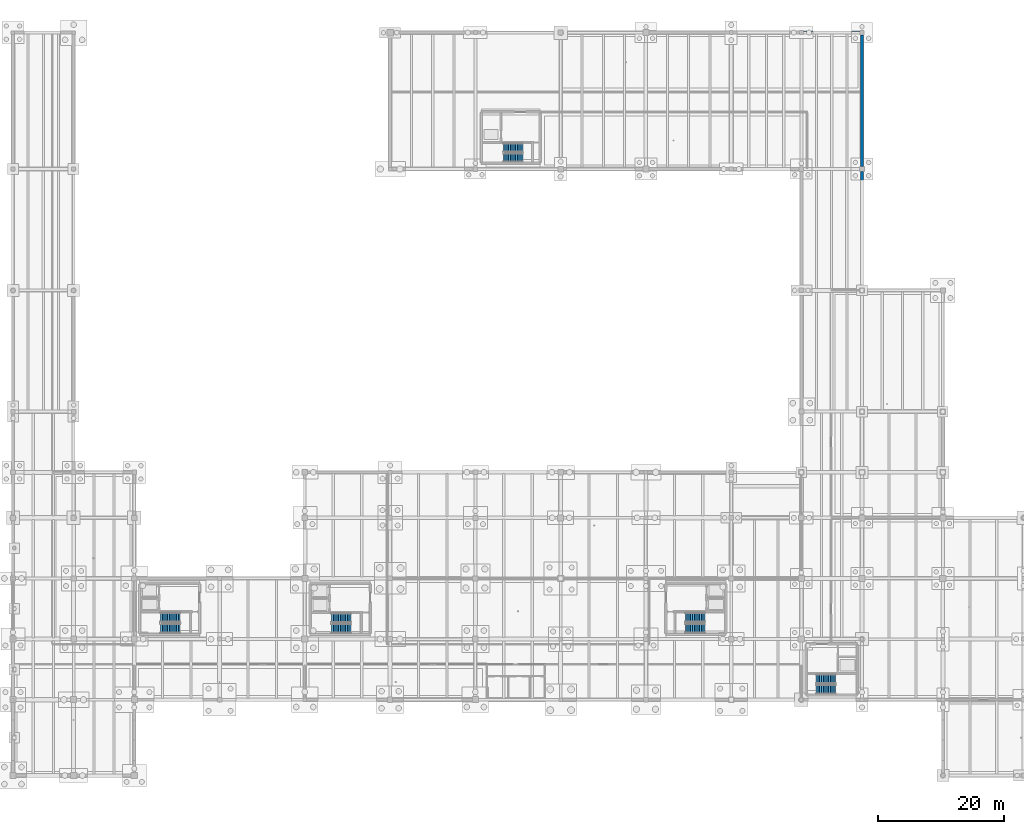
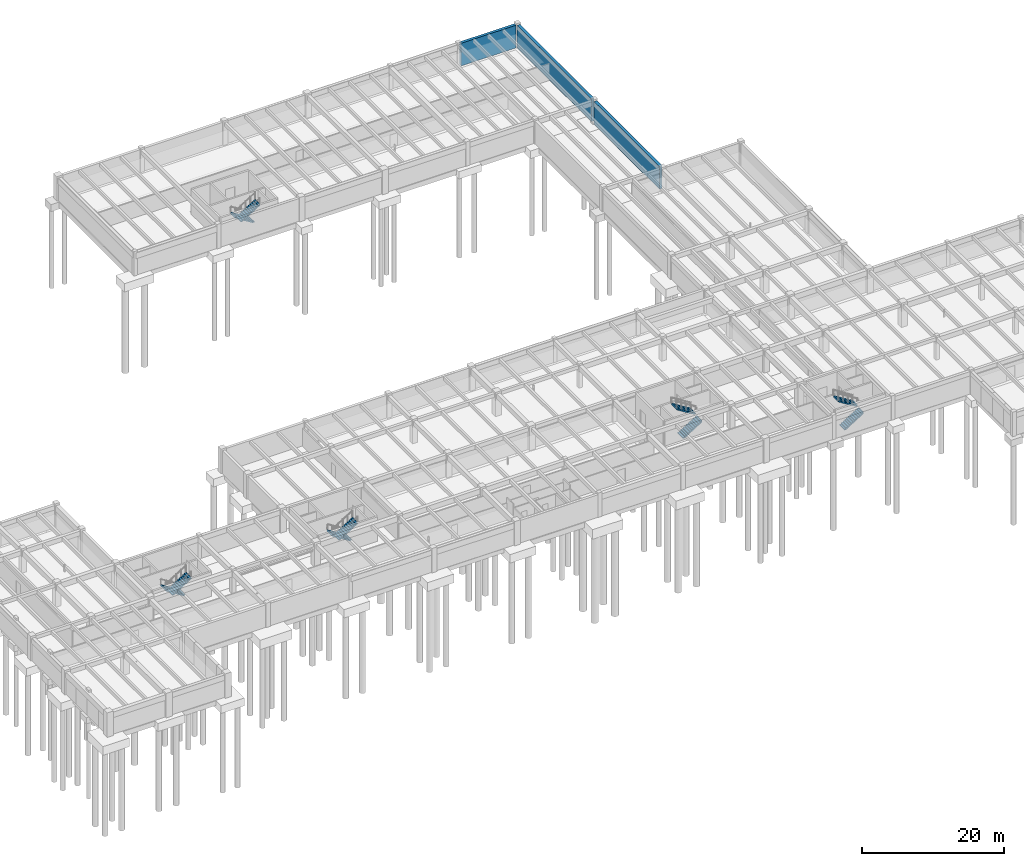
# One storey, part 22 of 41: 10 stair flights, 3 walls, 5 elements without a shape of their own.
"""IFC4 building model written with IfcOpenShell, lengths in metres."""

from ifc_helpers import new_model, si_unit, direction, frame, frame_2d, origin, place, context, subcontext, project, spatial, polyline, rectangle, outline, extrude, material, layer, layer_set, type_object, element, aggregate, save


model = new_model("IFC4")

# Units and contexts
model_context = context("Model", 3, precision=1e-05, world=origin(), true_north=direction((0.0, 1.0)))
body_context = subcontext(model_context, "Body", "Model", "MODEL_VIEW")
ifc_project = project(units=[si_unit("LENGTHUNIT", "METRE"), si_unit("AREAUNIT", "SQUARE_METRE"), si_unit("VOLUMEUNIT", "CUBIC_METRE"), si_unit("PLANEANGLEUNIT", "RADIAN"), si_unit("MASSUNIT", "GRAM", prefix="KILO")], contexts=[model_context])

# Site, building, storey
site_placement = place(None, origin())
site = spatial("IfcSite", under=ifc_project, at=site_placement, CompositionType="ELEMENT")
building_placement = place(site_placement, origin())
building = spatial("IfcBuilding", under=site, at=building_placement, Name="Fikremerkos Civic Library", CompositionType="ELEMENT")
storey_placement = place(building_placement, frame((0.0, 0.0, -8.39990234375)))
storey = spatial("IfcBuildingStorey", under=building, at=storey_placement, Name="B02", CompositionType="ELEMENT", Elevation=-8.39990234375)

# Walls
ifc_material = material(Name="Concrete C40/50", Category="concrete")
ifc_layer = layer(ifc_material, 0.449951171875, Name="Concrete C40/50")
ifc_layer_set = layer_set([ifc_layer], Name="Concrete C40/50")
wall_type = type_object("IfcWallType", Name="Basement retaining wall BRW-01 450", PredefinedType="USERDEFINED", material=ifc_layer_set)
wall_1_placement = place(storey_placement, frame((125.123046875, 117.60009765625, 0.0), z_axis=(0.0, 0.0, 1.0), x_axis=(1.0, 0.0, 0.0)))
element("IfcWall", 1, at=wall_1_placement, inside=storey, type_object=wall_type, Name="Basement retaining wall BRW-01 B02 #59", ObjectType="RETAINING WALL", PredefinedType="USERDEFINED", context=body_context, shape_type="SweptSolid", body=[
    extrude(rectangle(XDim=8.928955078125, YDim=0.449951171875, at=frame_2d((4.46435546875, 0.0))), origin(), (0.0, 0.0, 1.0), 3.89990234375),
])
wall_2_placement = place(storey_placement, frame((134.39990234375, 117.251953125, 0.0), z_axis=(0.0, 0.0, 1.0), x_axis=(0.0, -1.0, 0.0)))
element("IfcWall", 2, at=wall_2_placement, inside=storey, type_object=wall_type, Name="Basement retaining wall BRW-01 B02 #60", ObjectType="RETAINING WALL", PredefinedType="USERDEFINED", context=body_context, shape_type="SweptSolid", body=[
    extrude(rectangle(XDim=20.87890625, YDim=0.449951171875, at=frame_2d((10.439453125, 0.0))), origin(), (0.0, 0.0, 1.0), 3.89990234375),
])
wall_3_placement = place(storey_placement, frame((134.39990234375, 95.626953125, 0.0), z_axis=(0.0, 0.0, 1.0), x_axis=(0.0, -1.0, 0.0)))
element("IfcWall", 3, at=wall_3_placement, inside=storey, type_object=wall_type, Name="Basement retaining wall BRW-01 B02 #61", ObjectType="RETAINING WALL", PredefinedType="USERDEFINED", context=body_context, shape_type="SweptSolid", body=[
    extrude(rectangle(XDim=18.428955078125, YDim=0.449951171875, at=frame_2d((9.21435546875, 0.0))), origin(), (0.0, 0.0, 1.0), 3.919921875),
])

# Stair, stair flights
stair_type_1 = type_object("IfcStairType", Name="Half turn stair ST-HT-01 W1550 H4200", PredefinedType="HALF_TURN_STAIR", material=ifc_material)
stair_1_placement = place(storey_placement, origin())
stair_1 = element("IfcStair", 4, at=stair_1_placement, inside=storey, type_object=stair_type_1, Name="B02 ST-K1", PredefinedType="HALF_TURN_STAIR")
stair_flight_type_1 = type_object("IfcStairFlightType", Name="Straight stair flight SFL-01 W1550 H2100", PredefinedType="STRAIGHT", material=ifc_material)
stair_flight_1_placement = place(storey_placement, frame((26.449951171875, 25.02490234375, 0.0), z_axis=(0.0, 0.0, 1.0), x_axis=(-1.0, 0.0, 0.0)))
stair_flight_1 = element("IfcStairFlight", 5, at=stair_flight_1_placement, type_object=stair_flight_type_1, Name="ST-K1 flight 1", NumberOfRisers=12, NumberOfTreads=11, PredefinedType="STRAIGHT", RiserHeight=0.175, TreadLength=0.28, context=body_context, shape_type="SweptSolid", body=[
    extrude(outline(polyline([(-0.0048828125, 0.0), (-0.0048828125, 0.175048828125), (0.280029296875, 0.175048828125), (0.280029296875, 0.35009765625), (0.56005859375, 0.35009765625), (0.56005859375, 0.52490234375), (0.840087890625, 0.52490234375), (0.840087890625, 0.699951171875), (1.1201171875, 0.699951171875), (1.1201171875, 0.875), (1.39990234375, 0.875), (1.39990234375, 1.050048828125), (1.679931640625, 1.050048828125), (1.679931640625, 1.22509765625), (1.9599609375, 1.22509765625), (1.9599609375, 1.39990234375), (2.239990234375, 1.39990234375), (2.239990234375, 1.574951171875), (2.52001953125, 1.574951171875), (2.52001953125, 1.75), (2.800048828125, 1.75), (2.800048828125, 1.925048828125), (3.080078125, 1.925048828125), (3.080078125, 2.10009765625), (3.0849609375, 2.10009765625), (3.0849609375, 1.748291015625), (0.28271484375, 0.0), (-0.0048828125, 0.0)])), frame((0.0, 0.77490234375, 0.0), z_axis=(0.0, -1.0, 0.0), x_axis=(1.0, 0.0, 0.0)), (0.0, 0.0, 1.0), 1.550048828125),
])
stair_flight_2_placement = place(storey_placement, frame((23.3701171875, 23.27490234375, 2.099853515625), z_axis=(0.0, 0.0, 1.0), x_axis=(1.0, 0.0, 0.0)))
stair_flight_2 = element("IfcStairFlight", 6, at=stair_flight_2_placement, type_object=stair_flight_type_1, Name="ST-K1 flight 2", NumberOfRisers=12, NumberOfTreads=11, PredefinedType="STRAIGHT", RiserHeight=0.175, TreadLength=0.28, context=body_context, shape_type="SweptSolid", body=[
    extrude(outline(polyline([(-0.0048828125, 0.0), (-0.0048828125, 0.175048828125), (0.280029296875, 0.175048828125), (0.280029296875, 0.35009765625), (0.56005859375, 0.35009765625), (0.56005859375, 0.52490234375), (0.840087890625, 0.52490234375), (0.840087890625, 0.699951171875), (1.1201171875, 0.699951171875), (1.1201171875, 0.875), (1.39990234375, 0.875), (1.39990234375, 1.050048828125), (1.679931640625, 1.050048828125), (1.679931640625, 1.22509765625), (1.9599609375, 1.22509765625), (1.9599609375, 1.39990234375), (2.239990234375, 1.39990234375), (2.239990234375, 1.574951171875), (2.52001953125, 1.574951171875), (2.52001953125, 1.75), (2.800048828125, 1.75), (2.800048828125, 1.925048828125), (3.080078125, 1.925048828125), (3.080078125, 2.10009765625), (3.0849609375, 2.10009765625), (3.0849609375, 1.748291015625), (0.28271484375, 0.0), (-0.0048828125, 0.0)])), frame((0.0, 0.77490234375, 0.0), z_axis=(0.0, -1.0, 0.0), x_axis=(1.0, 0.0, 0.0)), (0.0, 0.0, 1.0), 1.550048828125),
])
aggregate(stair_1, [stair_flight_1, stair_flight_2])

stair_2_placement = place(storey_placement, origin())
stair_2 = element("IfcStair", 7, at=stair_2_placement, inside=storey, type_object=stair_type_1, Name="B02 ST-K2", PredefinedType="HALF_TURN_STAIR")
stair_flight_3_placement = place(storey_placement, frame((106.449951171875, 23.27490234375, 0.0), z_axis=(0.0, 0.0, 1.0), x_axis=(1.0, 0.0, 0.0)))
stair_flight_3 = element("IfcStairFlight", 8, at=stair_flight_3_placement, type_object=stair_flight_type_1, Name="ST-K2 flight 1", NumberOfRisers=12, NumberOfTreads=11, PredefinedType="STRAIGHT", RiserHeight=0.175, TreadLength=0.28, context=body_context, shape_type="SweptSolid", body=[
    extrude(outline(polyline([(-0.0048828125, 0.0), (-0.0048828125, 0.175048828125), (0.280029296875, 0.175048828125), (0.280029296875, 0.35009765625), (0.56005859375, 0.35009765625), (0.56005859375, 0.52490234375), (0.840087890625, 0.52490234375), (0.840087890625, 0.699951171875), (1.1201171875, 0.699951171875), (1.1201171875, 0.875), (1.39990234375, 0.875), (1.39990234375, 1.050048828125), (1.679931640625, 1.050048828125), (1.679931640625, 1.22509765625), (1.9599609375, 1.22509765625), (1.9599609375, 1.39990234375), (2.239990234375, 1.39990234375), (2.239990234375, 1.574951171875), (2.52001953125, 1.574951171875), (2.52001953125, 1.75), (2.800048828125, 1.75), (2.800048828125, 1.925048828125), (3.080078125, 1.925048828125), (3.080078125, 2.10009765625), (3.0849609375, 2.10009765625), (3.0849609375, 1.748291015625), (0.28271484375, 0.0), (-0.0048828125, 0.0)])), frame((0.0, 0.77490234375, 0.0), z_axis=(0.0, -1.0, 0.0), x_axis=(1.0, 0.0, 0.0)), (0.0, 0.0, 1.0), 1.550048828125),
])
stair_flight_4_placement = place(storey_placement, frame((109.530029296875, 25.02490234375, 2.099853515625), z_axis=(0.0, 0.0, 1.0), x_axis=(-1.0, 0.0, 0.0)))
stair_flight_4 = element("IfcStairFlight", 9, at=stair_flight_4_placement, type_object=stair_flight_type_1, Name="ST-K2 flight 2", NumberOfRisers=12, NumberOfTreads=11, PredefinedType="STRAIGHT", RiserHeight=0.175, TreadLength=0.28, context=body_context, shape_type="SweptSolid", body=[
    extrude(outline(polyline([(-0.0048828125, 0.0), (-0.0048828125, 0.175048828125), (0.280029296875, 0.175048828125), (0.280029296875, 0.35009765625), (0.56005859375, 0.35009765625), (0.56005859375, 0.52490234375), (0.840087890625, 0.52490234375), (0.840087890625, 0.699951171875), (1.1201171875, 0.699951171875), (1.1201171875, 0.875), (1.39990234375, 0.875), (1.39990234375, 1.050048828125), (1.679931640625, 1.050048828125), (1.679931640625, 1.22509765625), (1.9599609375, 1.22509765625), (1.9599609375, 1.39990234375), (2.239990234375, 1.39990234375), (2.239990234375, 1.574951171875), (2.52001953125, 1.574951171875), (2.52001953125, 1.75), (2.800048828125, 1.75), (2.800048828125, 1.925048828125), (3.080078125, 1.925048828125), (3.080078125, 2.10009765625), (3.0849609375, 2.10009765625), (3.0849609375, 1.748291015625), (0.28271484375, 0.0), (-0.0048828125, 0.0)])), frame((0.0, 0.77490234375, 0.0), z_axis=(0.0, -1.0, 0.0), x_axis=(1.0, 0.0, 0.0)), (0.0, 0.0, 1.0), 1.550048828125),
])
aggregate(stair_2, [stair_flight_3, stair_flight_4])

stair_type_2 = type_object("IfcStairType", Name="Half turn stair ST-HT-04 W1500 H4200", PredefinedType="HALF_TURN_STAIR", material=ifc_material)
stair_3_placement = place(storey_placement, origin())
stair_3 = element("IfcStair", 10, at=stair_3_placement, inside=storey, type_object=stair_type_2, Name="B02 ST-K3", PredefinedType="HALF_TURN_STAIR")
stair_flight_type_2 = type_object("IfcStairFlightType", Name="Straight stair flight SFL-04 W1500 H2100", PredefinedType="STRAIGHT", material=ifc_material)
stair_flight_5_placement = place(storey_placement, frame((53.5, 24.949951171875, 0.0), z_axis=(0.0, 0.0, 1.0), x_axis=(-1.0, 0.0, 0.0)))
stair_flight_5 = element("IfcStairFlight", 11, at=stair_flight_5_placement, type_object=stair_flight_type_2, Name="ST-K3 flight 1", NumberOfRisers=12, NumberOfTreads=11, PredefinedType="STRAIGHT", RiserHeight=0.175, TreadLength=0.28, context=body_context, shape_type="SweptSolid", body=[
    extrude(outline(polyline([(-0.0048828125, 0.0), (-0.0048828125, 0.175048828125), (0.280029296875, 0.175048828125), (0.280029296875, 0.35009765625), (0.56005859375, 0.35009765625), (0.56005859375, 0.52490234375), (0.840087890625, 0.52490234375), (0.840087890625, 0.699951171875), (1.1201171875, 0.699951171875), (1.1201171875, 0.875), (1.39990234375, 0.875), (1.39990234375, 1.050048828125), (1.679931640625, 1.050048828125), (1.679931640625, 1.22509765625), (1.9599609375, 1.22509765625), (1.9599609375, 1.39990234375), (2.239990234375, 1.39990234375), (2.239990234375, 1.574951171875), (2.52001953125, 1.574951171875), (2.52001953125, 1.75), (2.800048828125, 1.75), (2.800048828125, 1.925048828125), (3.080078125, 1.925048828125), (3.080078125, 2.10009765625), (3.0849609375, 2.10009765625), (3.0849609375, 1.748291015625), (0.28271484375, 0.0), (-0.0048828125, 0.0)])), frame((0.0, 0.75, 0.0), z_axis=(0.0, -1.0, 0.0), x_axis=(1.0, 0.0, 0.0)), (0.0, 0.0, 1.0), 1.5),
])
stair_flight_6_placement = place(storey_placement, frame((50.419921875, 23.25, 2.099853515625), z_axis=(0.0, 0.0, 1.0), x_axis=(1.0, 0.0, 0.0)))
stair_flight_6 = element("IfcStairFlight", 12, at=stair_flight_6_placement, type_object=stair_flight_type_2, Name="ST-K3 flight 2", NumberOfRisers=12, NumberOfTreads=11, PredefinedType="STRAIGHT", RiserHeight=0.175, TreadLength=0.28, context=body_context, shape_type="SweptSolid", body=[
    extrude(outline(polyline([(-0.0048828125, 0.0), (-0.0048828125, 0.175048828125), (0.280029296875, 0.175048828125), (0.280029296875, 0.35009765625), (0.56005859375, 0.35009765625), (0.56005859375, 0.52490234375), (0.840087890625, 0.52490234375), (0.840087890625, 0.699951171875), (1.1201171875, 0.699951171875), (1.1201171875, 0.875), (1.39990234375, 0.875), (1.39990234375, 1.050048828125), (1.679931640625, 1.050048828125), (1.679931640625, 1.22509765625), (1.9599609375, 1.22509765625), (1.9599609375, 1.39990234375), (2.239990234375, 1.39990234375), (2.239990234375, 1.574951171875), (2.52001953125, 1.574951171875), (2.52001953125, 1.75), (2.800048828125, 1.75), (2.800048828125, 1.925048828125), (3.080078125, 1.925048828125), (3.080078125, 2.10009765625), (3.0849609375, 2.10009765625), (3.0849609375, 1.748291015625), (0.28271484375, 0.0), (-0.0048828125, 0.0)])), frame((0.0, 0.75, 0.0), z_axis=(0.0, -1.0, 0.0), x_axis=(1.0, 0.0, 0.0)), (0.0, 0.0, 1.0), 1.5),
])
aggregate(stair_3, [stair_flight_5, stair_flight_6])

stair_type_3 = type_object("IfcStairType", Name="Half turn stair ST-HT-07 W1450 H4200", PredefinedType="HALF_TURN_STAIR", material=ifc_material)
stair_4_placement = place(storey_placement, origin())
stair_4 = element("IfcStair", 13, at=stair_4_placement, inside=storey, type_object=stair_type_3, Name="B02 ST-K4", PredefinedType="HALF_TURN_STAIR")
stair_flight_type_3 = type_object("IfcStairFlightType", Name="Straight stair flight SFL-07 W1450 H2100", PredefinedType="STRAIGHT", material=ifc_material)
stair_flight_7_placement = place(storey_placement, frame((127.14990234375, 13.625, 0.0), z_axis=(0.0, 0.0, 1.0), x_axis=(1.0, 0.0, 0.0)))
stair_flight_7 = element("IfcStairFlight", 14, at=stair_flight_7_placement, type_object=stair_flight_type_3, Name="ST-K4 flight 1", NumberOfRisers=12, NumberOfTreads=11, PredefinedType="STRAIGHT", RiserHeight=0.175, TreadLength=0.28, context=body_context, shape_type="SweptSolid", body=[
    extrude(outline(polyline([(-0.0048828125, 0.0), (-0.0048828125, 0.175048828125), (0.280029296875, 0.175048828125), (0.280029296875, 0.35009765625), (0.56005859375, 0.35009765625), (0.56005859375, 0.52490234375), (0.840087890625, 0.52490234375), (0.840087890625, 0.699951171875), (1.1201171875, 0.699951171875), (1.1201171875, 0.875), (1.39990234375, 0.875), (1.39990234375, 1.050048828125), (1.679931640625, 1.050048828125), (1.679931640625, 1.22509765625), (1.9599609375, 1.22509765625), (1.9599609375, 1.39990234375), (2.239990234375, 1.39990234375), (2.239990234375, 1.574951171875), (2.52001953125, 1.574951171875), (2.52001953125, 1.75), (2.800048828125, 1.75), (2.800048828125, 1.925048828125), (3.080078125, 1.925048828125), (3.080078125, 2.10009765625), (3.0849609375, 2.10009765625), (3.0849609375, 1.748291015625), (0.28271484375, 0.0), (-0.0048828125, 0.0)])), frame((0.0, 0.72509765625, 0.0), z_axis=(0.0, -1.0, 0.0), x_axis=(1.0, 0.0, 0.0)), (0.0, 0.0, 1.0), 1.449951171875),
])
stair_flight_8_placement = place(storey_placement, frame((130.22998046875, 15.27490234375, 2.099853515625), z_axis=(0.0, 0.0, 1.0), x_axis=(-1.0, 0.0, 0.0)))
stair_flight_8 = element("IfcStairFlight", 15, at=stair_flight_8_placement, type_object=stair_flight_type_3, Name="ST-K4 flight 2", NumberOfRisers=12, NumberOfTreads=11, PredefinedType="STRAIGHT", RiserHeight=0.175, TreadLength=0.28, context=body_context, shape_type="SweptSolid", body=[
    extrude(outline(polyline([(-0.0048828125, 0.0), (-0.0048828125, 0.175048828125), (0.280029296875, 0.175048828125), (0.280029296875, 0.35009765625), (0.56005859375, 0.35009765625), (0.56005859375, 0.52490234375), (0.840087890625, 0.52490234375), (0.840087890625, 0.699951171875), (1.1201171875, 0.699951171875), (1.1201171875, 0.875), (1.39990234375, 0.875), (1.39990234375, 1.050048828125), (1.679931640625, 1.050048828125), (1.679931640625, 1.22509765625), (1.9599609375, 1.22509765625), (1.9599609375, 1.39990234375), (2.239990234375, 1.39990234375), (2.239990234375, 1.574951171875), (2.52001953125, 1.574951171875), (2.52001953125, 1.75), (2.800048828125, 1.75), (2.800048828125, 1.925048828125), (3.080078125, 1.925048828125), (3.080078125, 2.10009765625), (3.0849609375, 2.10009765625), (3.0849609375, 1.748291015625), (0.28271484375, 0.0), (-0.0048828125, 0.0)])), frame((0.0, 0.72509765625, 0.0), z_axis=(0.0, -1.0, 0.0), x_axis=(1.0, 0.0, 0.0)), (0.0, 0.0, 1.0), 1.449951171875),
])
aggregate(stair_4, [stair_flight_7, stair_flight_8])

stair_type_4 = type_object("IfcStairType", Name="Half turn stair ST-HT-10 W1400 H4200", PredefinedType="HALF_TURN_STAIR", material=ifc_material)
stair_5_placement = place(storey_placement, origin())
stair_5 = element("IfcStair", 16, at=stair_5_placement, inside=storey, type_object=stair_type_4, Name="B02 ST-K5", PredefinedType="HALF_TURN_STAIR")
stair_flight_type_4 = type_object("IfcStairFlightType", Name="Straight stair flight SFL-10 W1400 H2100", PredefinedType="STRAIGHT", material=ifc_material)
stair_flight_9_placement = place(storey_placement, frame((80.699951171875, 99.39990234375, 0.0), z_axis=(0.0, 0.0, 1.0), x_axis=(-1.0, 0.0, 0.0)))
stair_flight_9 = element("IfcStairFlight", 17, at=stair_flight_9_placement, type_object=stair_flight_type_4, Name="ST-K5 flight 1", NumberOfRisers=12, NumberOfTreads=11, PredefinedType="STRAIGHT", RiserHeight=0.175, TreadLength=0.28, context=body_context, shape_type="SweptSolid", body=[
    extrude(outline(polyline([(-0.0048828125, 0.0), (-0.0048828125, 0.175048828125), (0.280029296875, 0.175048828125), (0.280029296875, 0.35009765625), (0.56005859375, 0.35009765625), (0.56005859375, 0.52490234375), (0.840087890625, 0.52490234375), (0.840087890625, 0.699951171875), (1.1201171875, 0.699951171875), (1.1201171875, 0.875), (1.39990234375, 0.875), (1.39990234375, 1.050048828125), (1.679931640625, 1.050048828125), (1.679931640625, 1.22509765625), (1.9599609375, 1.22509765625), (1.9599609375, 1.39990234375), (2.239990234375, 1.39990234375), (2.239990234375, 1.574951171875), (2.52001953125, 1.574951171875), (2.52001953125, 1.75), (2.800048828125, 1.75), (2.800048828125, 1.925048828125), (3.080078125, 1.925048828125), (3.080078125, 2.10009765625), (3.0849609375, 2.10009765625), (3.0849609375, 1.748291015625), (0.28271484375, 0.0), (-0.0048828125, 0.0)])), frame((0.0, 0.699951171875, 0.0), z_axis=(0.0, -1.0, 0.0), x_axis=(1.0, 0.0, 0.0)), (0.0, 0.0, 1.0), 1.39990234375),
])
stair_flight_10_placement = place(storey_placement, frame((77.6201171875, 97.800048828125, 2.099853515625), z_axis=(0.0, 0.0, 1.0), x_axis=(1.0, 0.0, 0.0)))
stair_flight_10 = element("IfcStairFlight", 18, at=stair_flight_10_placement, type_object=stair_flight_type_4, Name="ST-K5 flight 2", NumberOfRisers=12, NumberOfTreads=11, PredefinedType="STRAIGHT", RiserHeight=0.175, TreadLength=0.28, context=body_context, shape_type="SweptSolid", body=[
    extrude(outline(polyline([(-0.0048828125, 0.0), (-0.0048828125, 0.175048828125), (0.280029296875, 0.175048828125), (0.280029296875, 0.35009765625), (0.56005859375, 0.35009765625), (0.56005859375, 0.52490234375), (0.840087890625, 0.52490234375), (0.840087890625, 0.699951171875), (1.1201171875, 0.699951171875), (1.1201171875, 0.875), (1.39990234375, 0.875), (1.39990234375, 1.050048828125), (1.679931640625, 1.050048828125), (1.679931640625, 1.22509765625), (1.9599609375, 1.22509765625), (1.9599609375, 1.39990234375), (2.239990234375, 1.39990234375), (2.239990234375, 1.574951171875), (2.52001953125, 1.574951171875), (2.52001953125, 1.75), (2.800048828125, 1.75), (2.800048828125, 1.925048828125), (3.080078125, 1.925048828125), (3.080078125, 2.10009765625), (3.0849609375, 2.10009765625), (3.0849609375, 1.748291015625), (0.28271484375, 0.0), (-0.0048828125, 0.0)])), frame((0.0, 0.699951171875, 0.0), z_axis=(0.0, -1.0, 0.0), x_axis=(1.0, 0.0, 0.0)), (0.0, 0.0, 1.0), 1.39990234375),
])
aggregate(stair_5, [stair_flight_9, stair_flight_10])

save(model, "model.ifc")
